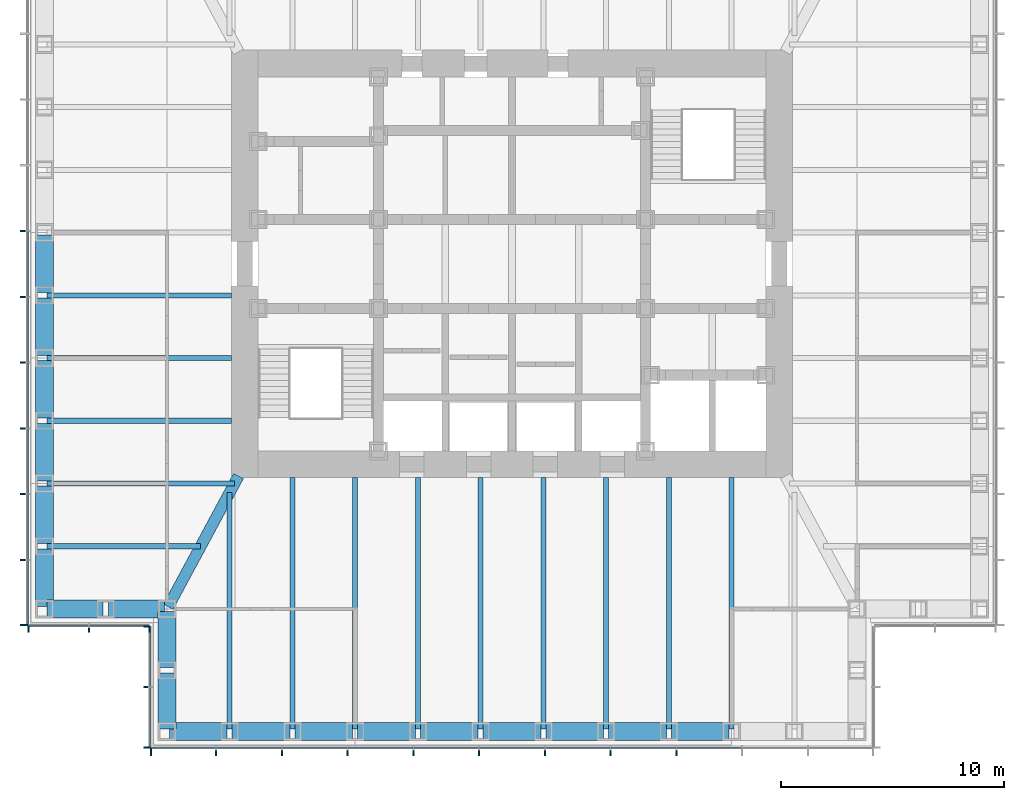
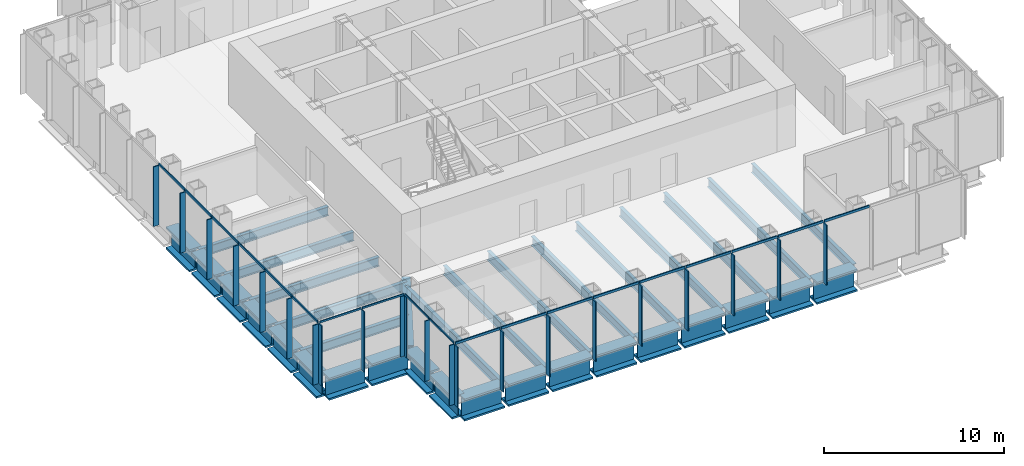
# One storey, part 2 of 16: 41 members, 34 beams, 4 elements without a shape of their own.
"""IFC4 building model written with IfcOpenShell, lengths in metres."""

from ifc_helpers import new_model, si_unit, direction, frame, origin, origin_2d, place, context, subcontext, project, spatial, rectangle, i_section, extrude, material, material_profile, profile_set, type_object, element, aggregate, save


model = new_model("IFC4")

# Units and contexts
model_context = context("Model", 3, precision=1e-05, world=origin(), true_north=direction((0.0, 1.0)))
body_context = subcontext(model_context, "Body", "Model", "MODEL_VIEW")
ifc_project = project(units=[si_unit("LENGTHUNIT", "METRE"), si_unit("AREAUNIT", "SQUARE_METRE"), si_unit("VOLUMEUNIT", "CUBIC_METRE"), si_unit("PLANEANGLEUNIT", "RADIAN"), si_unit("MASSUNIT", "GRAM", prefix="KILO")], contexts=[model_context])

# Site, building, storey
site_placement = place(None, origin())
site = spatial("IfcSite", under=ifc_project, at=site_placement, CompositionType="ELEMENT")
building_placement = place(site_placement, origin())
building = spatial("IfcBuilding", under=site, at=building_placement, Name="Daluyong Arena Tower", CompositionType="ELEMENT")
storey_placement = place(building_placement, frame((0.0, 0.0, 240.10009765625)))
storey = spatial("IfcBuildingStorey", under=building, at=storey_placement, Name="L54", CompositionType="ELEMENT", Elevation=240.10009765625)

# Curtain wall, members
ifc_material_1 = material(Name="Bronze anodised aluminium and glass", Category="aluminium")
curtain_wall_type_1 = type_object("IfcCurtainWallType", Name="Curtain wall CW3", PredefinedType="USERDEFINED", material=ifc_material_1)
curtain_wall_1_placement = place(storey_placement, origin())
curtain_wall_1 = element("IfcCurtainWall", 1, at=curtain_wall_1_placement, inside=storey, type_object=curtain_wall_type_1, Name="curtain wall L54 S", ObjectType="UNITISED CURTAIN WALL", PredefinedType="USERDEFINED")
ifc_material_2 = material(Name="Bronze anodised aluminium fin", Category="aluminium")
ifc_material_profile_1 = material_profile(ifc_material_2, rectangle(XDim=0.35009765625, YDim=0.070068359375, at=origin_2d()))
ifc_profile_set_1 = profile_set([ifc_material_profile_1], Name="Bronze anodised aluminium fin")
member_type_1 = type_object("IfcMemberType", Name="CW3 bronze fin 350x70", PredefinedType="MULLION", material=ifc_profile_set_1)
member_1_placement = place(storey_placement, frame((39.784912109375, 58.074951171875, 0.0), z_axis=(0.0, 0.0, 1.0), x_axis=(0.0, 1.0, 0.0)))
member_1 = element("IfcMember", 2, at=member_1_placement, type_object=member_type_1, Name="curtain wall L54 S fin 1", PredefinedType="MULLION", context=body_context, shape_type="SweptSolid", body=[
    extrude(rectangle(XDim=0.35009765625, YDim=0.070068359375, at=origin_2d()), origin(), (0.0, 0.0, 1.0), 4.039794921875),
])
member_2_placement = place(storey_placement, frame((42.70458984375, 58.074951171875, 0.0), z_axis=(0.0, 0.0, 1.0), x_axis=(0.0, 1.0, 0.0)))
member_2 = element("IfcMember", 3, at=member_2_placement, type_object=member_type_1, Name="curtain wall L54 S fin 2", PredefinedType="MULLION", context=body_context, shape_type="SweptSolid", body=[
    extrude(rectangle(XDim=0.35009765625, YDim=0.070068359375, at=origin_2d()), origin(), (0.0, 0.0, 1.0), 4.039794921875),
])
member_3_placement = place(storey_placement, frame((45.6591796875, 58.074951171875, 0.0), z_axis=(0.0, 0.0, 1.0), x_axis=(0.0, 1.0, 0.0)))
member_3 = element("IfcMember", 4, at=member_3_placement, type_object=member_type_1, Name="curtain wall L54 S fin 3", PredefinedType="MULLION", context=body_context, shape_type="SweptSolid", body=[
    extrude(rectangle(XDim=0.35009765625, YDim=0.070068359375, at=origin_2d()), origin(), (0.0, 0.0, 1.0), 4.039794921875),
])
member_4_placement = place(storey_placement, frame((48.613525390625, 58.074951171875, 0.0), z_axis=(0.0, 0.0, 1.0), x_axis=(0.0, 1.0, 0.0)))
member_4 = element("IfcMember", 5, at=member_4_placement, type_object=member_type_1, Name="curtain wall L54 S fin 4", PredefinedType="MULLION", context=body_context, shape_type="SweptSolid", body=[
    extrude(rectangle(XDim=0.35009765625, YDim=0.070068359375, at=origin_2d()), origin(), (0.0, 0.0, 1.0), 4.039794921875),
])
member_5_placement = place(storey_placement, frame((51.568115234375, 58.074951171875, 0.0), z_axis=(0.0, 0.0, 1.0), x_axis=(0.0, 1.0, 0.0)))
member_5 = element("IfcMember", 6, at=member_5_placement, type_object=member_type_1, Name="curtain wall L54 S fin 5", PredefinedType="MULLION", context=body_context, shape_type="SweptSolid", body=[
    extrude(rectangle(XDim=0.35009765625, YDim=0.070068359375, at=origin_2d()), origin(), (0.0, 0.0, 1.0), 4.039794921875),
])
member_6_placement = place(storey_placement, frame((54.522705078125, 58.074951171875, 0.0), z_axis=(0.0, 0.0, 1.0), x_axis=(0.0, 1.0, 0.0)))
member_6 = element("IfcMember", 7, at=member_6_placement, type_object=member_type_1, Name="curtain wall L54 S fin 6", PredefinedType="MULLION", context=body_context, shape_type="SweptSolid", body=[
    extrude(rectangle(XDim=0.35009765625, YDim=0.070068359375, at=origin_2d()), origin(), (0.0, 0.0, 1.0), 4.039794921875),
])
member_7_placement = place(storey_placement, frame((57.477294921875, 58.074951171875, 0.0), z_axis=(0.0, 0.0, 1.0), x_axis=(0.0, 1.0, 0.0)))
member_7 = element("IfcMember", 8, at=member_7_placement, type_object=member_type_1, Name="curtain wall L54 S fin 7", PredefinedType="MULLION", context=body_context, shape_type="SweptSolid", body=[
    extrude(rectangle(XDim=0.35009765625, YDim=0.070068359375, at=origin_2d()), origin(), (0.0, 0.0, 1.0), 4.039794921875),
])
member_8_placement = place(storey_placement, frame((60.431884765625, 58.074951171875, 0.0), z_axis=(0.0, 0.0, 1.0), x_axis=(0.0, 1.0, 0.0)))
member_8 = element("IfcMember", 9, at=member_8_placement, type_object=member_type_1, Name="curtain wall L54 S fin 8", PredefinedType="MULLION", context=body_context, shape_type="SweptSolid", body=[
    extrude(rectangle(XDim=0.35009765625, YDim=0.070068359375, at=origin_2d()), origin(), (0.0, 0.0, 1.0), 4.039794921875),
])
member_9_placement = place(storey_placement, frame((63.386474609375, 58.074951171875, 0.0), z_axis=(0.0, 0.0, 1.0), x_axis=(0.0, 1.0, 0.0)))
member_9 = element("IfcMember", 10, at=member_9_placement, type_object=member_type_1, Name="curtain wall L54 S fin 9", PredefinedType="MULLION", context=body_context, shape_type="SweptSolid", body=[
    extrude(rectangle(XDim=0.35009765625, YDim=0.070068359375, at=origin_2d()), origin(), (0.0, 0.0, 1.0), 4.039794921875),
])

curtain_wall_2_placement = place(storey_placement, origin())
curtain_wall_2 = element("IfcCurtainWall", 11, at=curtain_wall_2_placement, inside=storey, type_object=curtain_wall_type_1, Name="curtain wall L54 W", ObjectType="UNITISED CURTAIN WALL", PredefinedType="USERDEFINED")
member_10_placement = place(storey_placement, frame((34.074951171875, 81.477294921875, 0.0), z_axis=(0.0, 0.0, 1.0), x_axis=(1.0, 0.0, 0.0)))
member_10 = element("IfcMember", 12, at=member_10_placement, type_object=member_type_1, Name="curtain wall L54 W fin 6", PredefinedType="MULLION", context=body_context, shape_type="SweptSolid", body=[
    extrude(rectangle(XDim=0.35009765625, YDim=0.070068359375, at=origin_2d()), origin(), (0.0, 0.0, 1.0), 4.039794921875),
])
member_11_placement = place(storey_placement, frame((34.074951171875, 78.522705078125, 0.0), z_axis=(0.0, 0.0, 1.0), x_axis=(1.0, 0.0, 0.0)))
member_11 = element("IfcMember", 13, at=member_11_placement, type_object=member_type_1, Name="curtain wall L54 W fin 7", PredefinedType="MULLION", context=body_context, shape_type="SweptSolid", body=[
    extrude(rectangle(XDim=0.35009765625, YDim=0.070068359375, at=origin_2d()), origin(), (0.0, 0.0, 1.0), 4.039794921875),
])
member_12_placement = place(storey_placement, frame((34.074951171875, 75.568115234375, 0.0), z_axis=(0.0, 0.0, 1.0), x_axis=(1.0, 0.0, 0.0)))
member_12 = element("IfcMember", 14, at=member_12_placement, type_object=member_type_1, Name="curtain wall L54 W fin 8", PredefinedType="MULLION", context=body_context, shape_type="SweptSolid", body=[
    extrude(rectangle(XDim=0.35009765625, YDim=0.070068359375, at=origin_2d()), origin(), (0.0, 0.0, 1.0), 4.039794921875),
])
member_13_placement = place(storey_placement, frame((34.074951171875, 72.613525390625, 0.0), z_axis=(0.0, 0.0, 1.0), x_axis=(1.0, 0.0, 0.0)))
member_13 = element("IfcMember", 15, at=member_13_placement, type_object=member_type_1, Name="curtain wall L54 W fin 9", PredefinedType="MULLION", context=body_context, shape_type="SweptSolid", body=[
    extrude(rectangle(XDim=0.35009765625, YDim=0.070068359375, at=origin_2d()), origin(), (0.0, 0.0, 1.0), 4.039794921875),
])
member_14_placement = place(storey_placement, frame((34.074951171875, 69.6591796875, 0.0), z_axis=(0.0, 0.0, 1.0), x_axis=(1.0, 0.0, 0.0)))
member_14 = element("IfcMember", 16, at=member_14_placement, type_object=member_type_1, Name="curtain wall L54 W fin 10", PredefinedType="MULLION", context=body_context, shape_type="SweptSolid", body=[
    extrude(rectangle(XDim=0.35009765625, YDim=0.070068359375, at=origin_2d()), origin(), (0.0, 0.0, 1.0), 4.039794921875),
])
member_15_placement = place(storey_placement, frame((34.074951171875, 66.70458984375, 0.0), z_axis=(0.0, 0.0, 1.0), x_axis=(1.0, 0.0, 0.0)))
member_15 = element("IfcMember", 17, at=member_15_placement, type_object=member_type_1, Name="curtain wall L54 W fin 11", PredefinedType="MULLION", context=body_context, shape_type="SweptSolid", body=[
    extrude(rectangle(XDim=0.35009765625, YDim=0.070068359375, at=origin_2d()), origin(), (0.0, 0.0, 1.0), 4.039794921875),
])
member_16_placement = place(storey_placement, frame((34.074951171875, 63.784912109375, 0.0), z_axis=(0.0, 0.0, 1.0), x_axis=(1.0, 0.0, 0.0)))
member_16 = element("IfcMember", 18, at=member_16_placement, type_object=member_type_1, Name="curtain wall L54 W fin 12", PredefinedType="MULLION", context=body_context, shape_type="SweptSolid", body=[
    extrude(rectangle(XDim=0.35009765625, YDim=0.070068359375, at=origin_2d()), origin(), (0.0, 0.0, 1.0), 4.039794921875),
])

# Member
ifc_material_3 = material(Name="Bronze anodised aluminium", Category="aluminium")
ifc_material_profile_2 = material_profile(ifc_material_3, rectangle(XDim=0.070068359375, YDim=0.159912109375, at=origin_2d()))
ifc_profile_set_2 = profile_set([ifc_material_profile_2], Name="Bronze anodised aluminium")
member_type_2 = type_object("IfcMemberType", Name="CW3 stack transom 160x70", PredefinedType="USERDEFINED", material=ifc_profile_set_2)
member_17_placement = place(storey_placement, frame((39.820068359375, 58.25, 4.119873046875), z_axis=(1.0, 0.0, 0.0), x_axis=(0.0, 1.0, 0.0)))
member_17 = element("IfcMember", 19, at=member_17_placement, type_object=member_type_2, Name="curtain wall L54 S transom 1", ObjectType="TRANSOM", PredefinedType="USERDEFINED", context=body_context, shape_type="SweptSolid", body=[
    extrude(rectangle(XDim=0.070068359375, YDim=0.159912109375, at=origin_2d()), origin(), (0.0, 0.0, 1.0), 2.849365234375),
])

member_18_placement = place(storey_placement, frame((42.739501953125, 58.25, 4.119873046875), z_axis=(1.0, 0.0, 0.0), x_axis=(0.0, 1.0, 0.0)))
member_18 = element("IfcMember", 20, at=member_18_placement, type_object=member_type_2, Name="curtain wall L54 S transom 2", ObjectType="TRANSOM", PredefinedType="USERDEFINED", context=body_context, shape_type="SweptSolid", body=[
    extrude(rectangle(XDim=0.070068359375, YDim=0.159912109375, at=origin_2d()), origin(), (0.0, 0.0, 1.0), 2.884521484375),
])

member_19_placement = place(storey_placement, frame((45.694091796875, 58.25, 4.119873046875), z_axis=(1.0, 0.0, 0.0), x_axis=(0.0, 1.0, 0.0)))
member_19 = element("IfcMember", 21, at=member_19_placement, type_object=member_type_2, Name="curtain wall L54 S transom 3", ObjectType="TRANSOM", PredefinedType="USERDEFINED", context=body_context, shape_type="SweptSolid", body=[
    extrude(rectangle(XDim=0.070068359375, YDim=0.159912109375, at=origin_2d()), origin(), (0.0, 0.0, 1.0), 2.884521484375),
])

member_20_placement = place(storey_placement, frame((48.648681640625, 58.25, 4.119873046875), z_axis=(1.0, 0.0, 0.0), x_axis=(0.0, 1.0, 0.0)))
member_20 = element("IfcMember", 22, at=member_20_placement, type_object=member_type_2, Name="curtain wall L54 S transom 4", ObjectType="TRANSOM", PredefinedType="USERDEFINED", context=body_context, shape_type="SweptSolid", body=[
    extrude(rectangle(XDim=0.070068359375, YDim=0.159912109375, at=origin_2d()), origin(), (0.0, 0.0, 1.0), 2.884521484375),
])

member_21_placement = place(storey_placement, frame((51.603271484375, 58.25, 4.119873046875), z_axis=(1.0, 0.0, 0.0), x_axis=(0.0, 1.0, 0.0)))
member_21 = element("IfcMember", 23, at=member_21_placement, type_object=member_type_2, Name="curtain wall L54 S transom 5", ObjectType="TRANSOM", PredefinedType="USERDEFINED", context=body_context, shape_type="SweptSolid", body=[
    extrude(rectangle(XDim=0.070068359375, YDim=0.159912109375, at=origin_2d()), origin(), (0.0, 0.0, 1.0), 2.884521484375),
])

member_22_placement = place(storey_placement, frame((54.5576171875, 58.25, 4.119873046875), z_axis=(1.0, 0.0, 0.0), x_axis=(0.0, 1.0, 0.0)))
member_22 = element("IfcMember", 24, at=member_22_placement, type_object=member_type_2, Name="curtain wall L54 S transom 6", ObjectType="TRANSOM", PredefinedType="USERDEFINED", context=body_context, shape_type="SweptSolid", body=[
    extrude(rectangle(XDim=0.070068359375, YDim=0.159912109375, at=origin_2d()), origin(), (0.0, 0.0, 1.0), 2.884765625),
])

member_23_placement = place(storey_placement, frame((57.51220703125, 58.25, 4.119873046875), z_axis=(1.0, 0.0, 0.0), x_axis=(0.0, 1.0, 0.0)))
member_23 = element("IfcMember", 25, at=member_23_placement, type_object=member_type_2, Name="curtain wall L54 S transom 7", ObjectType="TRANSOM", PredefinedType="USERDEFINED", context=body_context, shape_type="SweptSolid", body=[
    extrude(rectangle(XDim=0.070068359375, YDim=0.159912109375, at=origin_2d()), origin(), (0.0, 0.0, 1.0), 2.884521484375),
])

member_24_placement = place(storey_placement, frame((60.466796875, 58.25, 4.119873046875), z_axis=(1.0, 0.0, 0.0), x_axis=(0.0, 1.0, 0.0)))
member_24 = element("IfcMember", 26, at=member_24_placement, type_object=member_type_2, Name="curtain wall L54 S transom 8", ObjectType="TRANSOM", PredefinedType="USERDEFINED", context=body_context, shape_type="SweptSolid", body=[
    extrude(rectangle(XDim=0.070068359375, YDim=0.159912109375, at=origin_2d()), origin(), (0.0, 0.0, 1.0), 2.884521484375),
])

member_25_placement = place(storey_placement, frame((63.42138671875, 58.25, 4.119873046875), z_axis=(1.0, 0.0, 0.0), x_axis=(0.0, 1.0, 0.0)))
member_25 = element("IfcMember", 27, at=member_25_placement, type_object=member_type_2, Name="curtain wall L54 S transom 9", ObjectType="TRANSOM", PredefinedType="USERDEFINED", context=body_context, shape_type="SweptSolid", body=[
    extrude(rectangle(XDim=0.070068359375, YDim=0.159912109375, at=origin_2d()), origin(), (0.0, 0.0, 1.0), 2.884521484375),
])

aggregate(curtain_wall_1, [member_1, member_2, member_3, member_4, member_5, member_6, member_7, member_8, member_9, member_17, member_18, member_19, member_20, member_21, member_22, member_23, member_24, member_25])

member_26_placement = place(storey_placement, frame((34.25, 81.4423828125, 4.119873046875), z_axis=(0.0, -1.0, 0.0), x_axis=(1.0, 0.0, 0.0)))
member_26 = element("IfcMember", 28, at=member_26_placement, type_object=member_type_2, Name="curtain wall L54 W transom 6", ObjectType="TRANSOM", PredefinedType="USERDEFINED", context=body_context, shape_type="SweptSolid", body=[
    extrude(rectangle(XDim=0.070068359375, YDim=0.159912109375, at=origin_2d()), origin(), (0.0, 0.0, 1.0), 2.884765625),
])

member_27_placement = place(storey_placement, frame((34.25, 78.48779296875, 4.119873046875), z_axis=(0.0, -1.0, 0.0), x_axis=(1.0, 0.0, 0.0)))
member_27 = element("IfcMember", 29, at=member_27_placement, type_object=member_type_2, Name="curtain wall L54 W transom 7", ObjectType="TRANSOM", PredefinedType="USERDEFINED", context=body_context, shape_type="SweptSolid", body=[
    extrude(rectangle(XDim=0.070068359375, YDim=0.159912109375, at=origin_2d()), origin(), (0.0, 0.0, 1.0), 2.884521484375),
])

member_28_placement = place(storey_placement, frame((34.25, 75.533203125, 4.119873046875), z_axis=(0.0, -1.0, 0.0), x_axis=(1.0, 0.0, 0.0)))
member_28 = element("IfcMember", 30, at=member_28_placement, type_object=member_type_2, Name="curtain wall L54 W transom 8", ObjectType="TRANSOM", PredefinedType="USERDEFINED", context=body_context, shape_type="SweptSolid", body=[
    extrude(rectangle(XDim=0.070068359375, YDim=0.159912109375, at=origin_2d()), origin(), (0.0, 0.0, 1.0), 2.884521484375),
])

member_29_placement = place(storey_placement, frame((34.25, 72.57861328125, 4.119873046875), z_axis=(0.0, -1.0, 0.0), x_axis=(1.0, 0.0, 0.0)))
member_29 = element("IfcMember", 31, at=member_29_placement, type_object=member_type_2, Name="curtain wall L54 W transom 9", ObjectType="TRANSOM", PredefinedType="USERDEFINED", context=body_context, shape_type="SweptSolid", body=[
    extrude(rectangle(XDim=0.070068359375, YDim=0.159912109375, at=origin_2d()), origin(), (0.0, 0.0, 1.0), 2.884521484375),
])

member_30_placement = place(storey_placement, frame((34.25, 69.6240234375, 4.119873046875), z_axis=(0.0, -1.0, 0.0), x_axis=(1.0, 0.0, 0.0)))
member_30 = element("IfcMember", 32, at=member_30_placement, type_object=member_type_2, Name="curtain wall L54 W transom 10", ObjectType="TRANSOM", PredefinedType="USERDEFINED", context=body_context, shape_type="SweptSolid", body=[
    extrude(rectangle(XDim=0.070068359375, YDim=0.159912109375, at=origin_2d()), origin(), (0.0, 0.0, 1.0), 2.884521484375),
])

member_31_placement = place(storey_placement, frame((34.25, 66.66943359375, 4.119873046875), z_axis=(0.0, -1.0, 0.0), x_axis=(1.0, 0.0, 0.0)))
member_31 = element("IfcMember", 33, at=member_31_placement, type_object=member_type_2, Name="curtain wall L54 W transom 11", ObjectType="TRANSOM", PredefinedType="USERDEFINED", context=body_context, shape_type="SweptSolid", body=[
    extrude(rectangle(XDim=0.070068359375, YDim=0.159912109375, at=origin_2d()), origin(), (0.0, 0.0, 1.0), 2.849365234375),
])

aggregate(curtain_wall_2, [member_10, member_11, member_12, member_13, member_14, member_15, member_16, member_26, member_27, member_28, member_29, member_30, member_31])

# Curtain wall, members
ifc_material_4 = material(Name="Bronze anodised aluminium and glass", Category="aluminium")
curtain_wall_type_2 = type_object("IfcCurtainWallType", Name="Curtain wall CW7", PredefinedType="USERDEFINED", material=ifc_material_4)
curtain_wall_3_placement = place(storey_placement, origin())
curtain_wall_3 = element("IfcCurtainWall", 34, at=curtain_wall_3_placement, inside=storey, type_object=curtain_wall_type_2, Name="curtain wall L54 SW-S", ObjectType="UNITISED CURTAIN WALL", PredefinedType="USERDEFINED")
ifc_material_5 = material(Name="Bronze anodised aluminium fin", Category="aluminium")
ifc_material_profile_3 = material_profile(ifc_material_5, rectangle(XDim=0.300048828125, YDim=0.06005859375, at=origin_2d()))
ifc_profile_set_3 = profile_set([ifc_material_profile_3], Name="Bronze anodised aluminium fin")
member_type_3 = type_object("IfcMemberType", Name="CW7 bronze fin 300x60", PredefinedType="MULLION", material=ifc_profile_set_3)
member_32_placement = place(storey_placement, frame((34.280029296875, 63.60009765625, 0.0), z_axis=(0.0, 0.0, 1.0), x_axis=(0.0, 1.0, 0.0)))
member_32 = element("IfcMember", 35, at=member_32_placement, type_object=member_type_3, Name="curtain wall L54 SW-S fin 1", PredefinedType="MULLION", context=body_context, shape_type="SweptSolid", body=[
    extrude(rectangle(XDim=0.300048828125, YDim=0.06005859375, at=origin_2d()), origin(), (0.0, 0.0, 1.0), 4.079833984375),
])
member_33_placement = place(storey_placement, frame((37.0, 63.60009765625, 0.0), z_axis=(0.0, 0.0, 1.0), x_axis=(0.0, 1.0, 0.0)))
member_33 = element("IfcMember", 36, at=member_33_placement, type_object=member_type_3, Name="curtain wall L54 SW-S fin 2", PredefinedType="MULLION", context=body_context, shape_type="SweptSolid", body=[
    extrude(rectangle(XDim=0.300048828125, YDim=0.06005859375, at=origin_2d()), origin(), (0.0, 0.0, 1.0), 4.079833984375),
])
member_34_placement = place(storey_placement, frame((39.719970703125, 63.60009765625, 0.0), z_axis=(0.0, 0.0, 1.0), x_axis=(0.0, 1.0, 0.0)))
member_34 = element("IfcMember", 37, at=member_34_placement, type_object=member_type_3, Name="curtain wall L54 SW-S fin 3", PredefinedType="MULLION", context=body_context, shape_type="SweptSolid", body=[
    extrude(rectangle(XDim=0.300048828125, YDim=0.06005859375, at=origin_2d()), origin(), (0.0, 0.0, 1.0), 4.079833984375),
])

curtain_wall_4_placement = place(storey_placement, origin())
curtain_wall_4 = element("IfcCurtainWall", 38, at=curtain_wall_4_placement, inside=storey, type_object=curtain_wall_type_2, Name="curtain wall L54 SW-W", ObjectType="UNITISED CURTAIN WALL", PredefinedType="USERDEFINED")
member_35_placement = place(storey_placement, frame((39.60009765625, 63.719970703125, 0.0), z_axis=(0.0, 0.0, 1.0), x_axis=(1.0, 0.0, 0.0)))
member_35 = element("IfcMember", 39, at=member_35_placement, type_object=member_type_3, Name="curtain wall L54 SW-W fin 1", PredefinedType="MULLION", context=body_context, shape_type="SweptSolid", body=[
    extrude(rectangle(XDim=0.300048828125, YDim=0.06005859375, at=origin_2d()), origin(), (0.0, 0.0, 1.0), 4.079833984375),
])
member_36_placement = place(storey_placement, frame((39.60009765625, 61.0, 0.0), z_axis=(0.0, 0.0, 1.0), x_axis=(1.0, 0.0, 0.0)))
member_36 = element("IfcMember", 40, at=member_36_placement, type_object=member_type_3, Name="curtain wall L54 SW-W fin 2", PredefinedType="MULLION", context=body_context, shape_type="SweptSolid", body=[
    extrude(rectangle(XDim=0.300048828125, YDim=0.06005859375, at=origin_2d()), origin(), (0.0, 0.0, 1.0), 4.079833984375),
])
member_37_placement = place(storey_placement, frame((39.60009765625, 58.280029296875, 0.0), z_axis=(0.0, 0.0, 1.0), x_axis=(1.0, 0.0, 0.0)))
member_37 = element("IfcMember", 41, at=member_37_placement, type_object=member_type_3, Name="curtain wall L54 SW-W fin 3", PredefinedType="MULLION", context=body_context, shape_type="SweptSolid", body=[
    extrude(rectangle(XDim=0.300048828125, YDim=0.06005859375, at=origin_2d()), origin(), (0.0, 0.0, 1.0), 4.079833984375),
])

# Member
ifc_material_6 = material(Name="Bronze anodised aluminium", Category="aluminium")
ifc_material_profile_4 = material_profile(ifc_material_6, rectangle(XDim=0.06005859375, YDim=0.1201171875, at=origin_2d()))
ifc_profile_set_4 = profile_set([ifc_material_profile_4], Name="Bronze anodised aluminium")
member_type_4 = type_object("IfcMemberType", Name="CW7 stack transom 120x60", PredefinedType="USERDEFINED", material=ifc_profile_set_4)
member_38_placement = place(storey_placement, frame((34.31005859375, 63.75, 4.139892578125), z_axis=(1.0, 0.0, 0.0), x_axis=(0.0, 1.0, 0.0)))
member_38 = element("IfcMember", 42, at=member_38_placement, type_object=member_type_4, Name="curtain wall L54 SW-S transom 1", ObjectType="TRANSOM", PredefinedType="USERDEFINED", context=body_context, shape_type="SweptSolid", body=[
    extrude(rectangle(XDim=0.06005859375, YDim=0.1201171875, at=origin_2d()), origin(), (0.0, 0.0, 1.0), 2.659912109375),
])

member_39_placement = place(storey_placement, frame((37.030029296875, 63.75, 4.139892578125), z_axis=(1.0, 0.0, 0.0), x_axis=(0.0, 1.0, 0.0)))
member_39 = element("IfcMember", 43, at=member_39_placement, type_object=member_type_4, Name="curtain wall L54 SW-S transom 2", ObjectType="TRANSOM", PredefinedType="USERDEFINED", context=body_context, shape_type="SweptSolid", body=[
    extrude(rectangle(XDim=0.06005859375, YDim=0.1201171875, at=origin_2d()), origin(), (0.0, 0.0, 1.0), 2.659912109375),
])

aggregate(curtain_wall_3, [member_32, member_33, member_34, member_38, member_39])

member_40_placement = place(storey_placement, frame((39.75, 63.68994140625, 4.139892578125), z_axis=(0.0, -1.0, 0.0), x_axis=(1.0, 0.0, 0.0)))
member_40 = element("IfcMember", 44, at=member_40_placement, type_object=member_type_4, Name="curtain wall L54 SW-W transom 1", ObjectType="TRANSOM", PredefinedType="USERDEFINED", context=body_context, shape_type="SweptSolid", body=[
    extrude(rectangle(XDim=0.06005859375, YDim=0.1201171875, at=origin_2d()), origin(), (0.0, 0.0, 1.0), 2.659912109375),
])

member_41_placement = place(storey_placement, frame((39.75, 60.969970703125, 4.139892578125), z_axis=(0.0, -1.0, 0.0), x_axis=(1.0, 0.0, 0.0)))
member_41 = element("IfcMember", 45, at=member_41_placement, type_object=member_type_4, Name="curtain wall L54 SW-W transom 2", ObjectType="TRANSOM", PredefinedType="USERDEFINED", context=body_context, shape_type="SweptSolid", body=[
    extrude(rectangle(XDim=0.06005859375, YDim=0.1201171875, at=origin_2d()), origin(), (0.0, 0.0, 1.0), 2.659912109375),
])

aggregate(curtain_wall_4, [member_35, member_36, member_37, member_40, member_41])

# Beams
ifc_material_7 = material(Name="Steel ASTM A572 Grade 50", Category="steel")
ifc_material_profile_5 = material_profile(ifc_material_7, i_section(OverallWidth=0.5, OverallDepth=1.0, WebThickness=0.03, FlangeThickness=0.06, at=origin_2d()))
ifc_profile_set_5 = profile_set([ifc_material_profile_5], Name="Steel ASTM A572 Grade 50")
beam_type_1 = type_object("IfcBeamType", Name="Corner girder TB1000X500", PredefinedType="BEAM", material=ifc_profile_set_5)
beam_1_placement = place(storey_placement, frame((40.554443359375, 64.601318359375, -0.66015625), z_axis=(0.474119475266, 0.880460517669, 0.0), x_axis=(-0.880460517669, 0.474119475266, 0.0)))
element("IfcBeam", 46, at=beam_1_placement, inside=storey, type_object=beam_type_1, Name="corner girder DG2", PredefinedType="BEAM", context=body_context, shape_type="SweptSolid", body=[
    extrude(i_section(OverallWidth=0.5, OverallDepth=1.0, WebThickness=0.03, FlangeThickness=0.06, at=origin_2d()), origin(), (0.0, 0.0, 1.0), 6.66748046875),
])
ifc_material_8 = material(Name="Steel ASTM A992 Grade 50", Category="steel")
ifc_material_profile_6 = material_profile(ifc_material_8, i_section(OverallWidth=0.22900390625, OverallDepth=0.612060546875, WebThickness=0.011962890625, FlangeThickness=0.01953125, at=origin_2d()))
ifc_profile_set_6 = profile_set([ifc_material_profile_6], Name="Steel ASTM A992 Grade 50")
beam_type_2 = type_object("IfcBeamType", Name="Floor beam W24X84", PredefinedType="BEAM", material=ifc_profile_set_6)
beam_2_placement = place(storey_placement, frame((43.318115234375, 59.114990234375, -0.466064453125), z_axis=(0.0, 1.0, 0.0), x_axis=(-1.0, 0.0, 0.0)))
element("IfcBeam", 47, at=beam_2_placement, inside=storey, type_object=beam_type_2, Name="floor beam FB3", PredefinedType="BEAM", context=body_context, shape_type="SweptSolid", body=[
    extrude(i_section(OverallWidth=0.22900390625, OverallDepth=0.612060546875, WebThickness=0.011962890625, FlangeThickness=0.01953125, at=origin_2d()), origin(), (0.0, 0.0, 1.0), 10.618896484375),
])
for number, where, z_axis, x_axis, name in (
    (48, (46.136474609375, 59.114990234375, -0.466064453125), (0.0, 1.0, 0.0), (-1.0, 0.0, 0.0), "floor beam FB3"),
    (49, (48.95458984375, 59.114990234375, -0.466064453125), (0.0, 1.0, 0.0), (-1.0, 0.0, 0.0), "floor beam FB3"),
    (50, (51.772705078125, 59.114990234375, -0.466064453125), (0.0, 1.0, 0.0), (-1.0, 0.0, 0.0), "floor beam FB3"),
    (51, (54.5908203125, 59.114990234375, -0.466064453125), (0.0, 1.0, 0.0), (-1.0, 0.0, 0.0), "floor beam FB3"),
    (52, (57.4091796875, 59.114990234375, -0.466064453125), (0.0, 1.0, 0.0), (-1.0, 0.0, 0.0), "floor beam FB3"),
    (53, (60.227294921875, 59.114990234375, -0.466064453125), (0.0, 1.0, 0.0), (-1.0, 0.0, 0.0), "floor beam FB3"),
    (54, (63.04541015625, 59.114990234375, -0.466064453125), (0.0, 1.0, 0.0), (-1.0, 0.0, 0.0), "floor beam FB3"),
    (55, (65.863525390625, 59.114990234375, -0.466064453125), (0.0, 1.0, 0.0), (-1.0, 0.0, 0.0), "floor beam FB3"),
):
    element("IfcBeam", number, at=place(storey_placement, frame(where, z_axis=z_axis, x_axis=x_axis)), inside=storey, type_object=beam_type_2, Name=name, PredefinedType="BEAM", context=body_context, shape_type="SweptSolid", body=[
        extrude(i_section(OverallWidth=0.22900390625, OverallDepth=0.612060546875, WebThickness=0.011962890625, FlangeThickness=0.01953125, at=origin_2d()), origin(), (0.0, 0.0, 1.0), 11.284912109375),
    ])
for number, where, z_axis, x_axis, name in (
    (56, (35.114990234375, 78.5908203125, -0.466064453125), (1.0, 0.0, 0.0), (0.0, 1.0, 0.0), "floor beam FB3"),
    (57, (35.114990234375, 75.772705078125, -0.466064453125), (1.0, 0.0, 0.0), (0.0, 1.0, 0.0), "floor beam FB3"),
    (58, (35.114990234375, 72.95458984375, -0.466064453125), (1.0, 0.0, 0.0), (0.0, 1.0, 0.0), "floor beam FB3"),
):
    element("IfcBeam", number, at=place(storey_placement, frame(where, z_axis=z_axis, x_axis=x_axis)), inside=storey, type_object=beam_type_2, Name=name, PredefinedType="BEAM", context=body_context, shape_type="SweptSolid", body=[
        extrude(i_section(OverallWidth=0.22900390625, OverallDepth=0.612060546875, WebThickness=0.011962890625, FlangeThickness=0.01953125, at=origin_2d()), origin(), (0.0, 0.0, 1.0), 8.284912109375),
    ])
beam_3_placement = place(storey_placement, frame((35.114990234375, 70.136474609375, -0.466064453125), z_axis=(1.0, 0.0, 0.0), x_axis=(0.0, 1.0, 0.0)))
element("IfcBeam", 59, at=beam_3_placement, inside=storey, type_object=beam_type_2, Name="floor beam FB3", PredefinedType="BEAM", context=body_context, shape_type="SweptSolid", body=[
    extrude(i_section(OverallWidth=0.22900390625, OverallDepth=0.612060546875, WebThickness=0.011962890625, FlangeThickness=0.01953125, at=origin_2d()), origin(), (0.0, 0.0, 1.0), 8.419921875),
])
beam_4_placement = place(storey_placement, frame((35.114990234375, 67.318115234375, -0.466064453125), z_axis=(1.0, 0.0, 0.0), x_axis=(0.0, 1.0, 0.0)))
element("IfcBeam", 60, at=beam_4_placement, inside=storey, type_object=beam_type_2, Name="floor beam FB3", PredefinedType="BEAM", context=body_context, shape_type="SweptSolid", body=[
    extrude(i_section(OverallWidth=0.22900390625, OverallDepth=0.612060546875, WebThickness=0.011962890625, FlangeThickness=0.01953125, at=origin_2d()), origin(), (0.0, 0.0, 1.0), 6.902587890625),
])
ifc_material_9 = material(Name="Steel ASTM A588 Grade 50", Category="steel")
ifc_material_profile_7 = material_profile(ifc_material_9, i_section(OverallWidth=0.800048828125, OverallDepth=1.5, WebThickness=0.05, FlangeThickness=0.12, at=origin_2d()))
ifc_profile_set_7 = profile_set([ifc_material_profile_7], Name="Steel ASTM A588 Grade 50")
beam_type_3 = type_object("IfcBeamType", Name="Spandrel Z3 PG1500X800", PredefinedType="SPANDREL", material=ifc_profile_set_7)
beam_5_placement = place(storey_placement, frame((40.614990234375, 59.0, -0.91015625), z_axis=(1.0, 0.0, 0.0), x_axis=(0.0, 1.0, 0.0)))
element("IfcBeam", 61, at=beam_5_placement, inside=storey, type_object=beam_type_3, Name="spandrel z3 SB7", PredefinedType="SPANDREL", context=body_context, shape_type="SweptSolid", body=[
    extrude(i_section(OverallWidth=0.800048828125, OverallDepth=1.5, WebThickness=0.05, FlangeThickness=0.12, at=origin_2d()), origin(), (0.0, 0.0, 1.0), 2.588134765625),
])
beam_6_placement = place(storey_placement, frame((43.43310546875, 59.0, -0.91015625), z_axis=(1.0, 0.0, 0.0), x_axis=(0.0, 1.0, 0.0)))
element("IfcBeam", 62, at=beam_6_placement, inside=storey, type_object=beam_type_3, Name="spandrel z3 SB7", PredefinedType="SPANDREL", context=body_context, shape_type="SweptSolid", body=[
    extrude(i_section(OverallWidth=0.800048828125, OverallDepth=1.5, WebThickness=0.05, FlangeThickness=0.12, at=origin_2d()), origin(), (0.0, 0.0, 1.0), 2.58837890625),
])
for number, where, z_axis, x_axis, name in (
    (63, (46.25146484375, 59.0, -0.91015625), (1.0, 0.0, 0.0), (0.0, 1.0, 0.0), "spandrel z3 SB7"),
    (64, (49.069580078125, 59.0, -0.91015625), (1.0, 0.0, 0.0), (0.0, 1.0, 0.0), "spandrel z3 SB7"),
    (65, (51.8876953125, 59.0, -0.91015625), (1.0, 0.0, 0.0), (0.0, 1.0, 0.0), "spandrel z3 SB7"),
):
    element("IfcBeam", number, at=place(storey_placement, frame(where, z_axis=z_axis, x_axis=x_axis)), inside=storey, type_object=beam_type_3, Name=name, PredefinedType="SPANDREL", context=body_context, shape_type="SweptSolid", body=[
        extrude(i_section(OverallWidth=0.800048828125, OverallDepth=1.5, WebThickness=0.05, FlangeThickness=0.12, at=origin_2d()), origin(), (0.0, 0.0, 1.0), 2.588134765625),
    ])
beam_7_placement = place(storey_placement, frame((54.705810546875, 59.0, -0.91015625), z_axis=(1.0, 0.0, 0.0), x_axis=(0.0, 1.0, 0.0)))
element("IfcBeam", 66, at=beam_7_placement, inside=storey, type_object=beam_type_3, Name="spandrel z3 SB7", PredefinedType="SPANDREL", context=body_context, shape_type="SweptSolid", body=[
    extrude(i_section(OverallWidth=0.800048828125, OverallDepth=1.5, WebThickness=0.05, FlangeThickness=0.12, at=origin_2d()), origin(), (0.0, 0.0, 1.0), 2.58837890625),
])
for number, where, z_axis, x_axis, name in (
    (67, (57.524169921875, 59.0, -0.91015625), (1.0, 0.0, 0.0), (0.0, 1.0, 0.0), "spandrel z3 SB7"),
    (68, (60.34228515625, 59.0, -0.91015625), (1.0, 0.0, 0.0), (0.0, 1.0, 0.0), "spandrel z3 SB7"),
    (69, (63.160400390625, 59.0, -0.91015625), (1.0, 0.0, 0.0), (0.0, 1.0, 0.0), "spandrel z3 SB7"),
):
    element("IfcBeam", number, at=place(storey_placement, frame(where, z_axis=z_axis, x_axis=x_axis)), inside=storey, type_object=beam_type_3, Name=name, PredefinedType="SPANDREL", context=body_context, shape_type="SweptSolid", body=[
        extrude(i_section(OverallWidth=0.800048828125, OverallDepth=1.5, WebThickness=0.05, FlangeThickness=0.12, at=origin_2d()), origin(), (0.0, 0.0, 1.0), 2.588134765625),
    ])
beam_8_placement = place(storey_placement, frame((35.0, 81.294189453125, -0.91015625), z_axis=(0.0, -1.0, 0.0), x_axis=(1.0, 0.0, 0.0)))
element("IfcBeam", 70, at=beam_8_placement, inside=storey, type_object=beam_type_3, Name="spandrel z3 SB7", PredefinedType="SPANDREL", context=body_context, shape_type="SweptSolid", body=[
    extrude(i_section(OverallWidth=0.800048828125, OverallDepth=1.5, WebThickness=0.05, FlangeThickness=0.12, at=origin_2d()), origin(), (0.0, 0.0, 1.0), 2.58837890625),
])
for number, where, z_axis, x_axis, name in (
    (71, (35.0, 78.475830078125, -0.91015625), (0.0, -1.0, 0.0), (1.0, 0.0, 0.0), "spandrel z3 SB7"),
    (72, (35.0, 75.65771484375, -0.91015625), (0.0, -1.0, 0.0), (1.0, 0.0, 0.0), "spandrel z3 SB7"),
    (73, (35.0, 72.839599609375, -0.91015625), (0.0, -1.0, 0.0), (1.0, 0.0, 0.0), "spandrel z3 SB7"),
):
    element("IfcBeam", number, at=place(storey_placement, frame(where, z_axis=z_axis, x_axis=x_axis)), inside=storey, type_object=beam_type_3, Name=name, PredefinedType="SPANDREL", context=body_context, shape_type="SweptSolid", body=[
        extrude(i_section(OverallWidth=0.800048828125, OverallDepth=1.5, WebThickness=0.05, FlangeThickness=0.12, at=origin_2d()), origin(), (0.0, 0.0, 1.0), 2.588134765625),
    ])
beam_9_placement = place(storey_placement, frame((35.0, 70.021484375, -0.91015625), z_axis=(0.0, -1.0, 0.0), x_axis=(1.0, 0.0, 0.0)))
element("IfcBeam", 74, at=beam_9_placement, inside=storey, type_object=beam_type_3, Name="spandrel z3 SB7", PredefinedType="SPANDREL", context=body_context, shape_type="SweptSolid", body=[
    extrude(i_section(OverallWidth=0.800048828125, OverallDepth=1.5, WebThickness=0.05, FlangeThickness=0.12, at=origin_2d()), origin(), (0.0, 0.0, 1.0), 2.58837890625),
])
beam_10_placement = place(storey_placement, frame((35.0, 67.203125, -0.91015625), z_axis=(0.0, -1.0, 0.0), x_axis=(1.0, 0.0, 0.0)))
element("IfcBeam", 75, at=beam_10_placement, inside=storey, type_object=beam_type_3, Name="spandrel z3 SB7", PredefinedType="SPANDREL", context=body_context, shape_type="SweptSolid", body=[
    extrude(i_section(OverallWidth=0.800048828125, OverallDepth=1.5, WebThickness=0.05, FlangeThickness=0.12, at=origin_2d()), origin(), (0.0, 0.0, 1.0), 2.588134765625),
])
for number, where, z_axis, x_axis, name in (
    (76, (35.114990234375, 64.5, -0.91015625), (1.0, 0.0, 0.0), (0.0, 1.0, 0.0), "spandrel z3 SB7"),
    (77, (37.864990234375, 64.5, -0.91015625), (1.0, 0.0, 0.0), (0.0, 1.0, 0.0), "spandrel z3 SB7"),
    (78, (40.5, 64.385009765625, -0.91015625), (0.0, -1.0, 0.0), (1.0, 0.0, 0.0), "spandrel z3 SB7"),
    (79, (40.5, 61.635009765625, -0.91015625), (0.0, -1.0, 0.0), (1.0, 0.0, 0.0), "spandrel z3 SB7"),
):
    element("IfcBeam", number, at=place(storey_placement, frame(where, z_axis=z_axis, x_axis=x_axis)), inside=storey, type_object=beam_type_3, Name=name, PredefinedType="SPANDREL", context=body_context, shape_type="SweptSolid", body=[
        extrude(i_section(OverallWidth=0.800048828125, OverallDepth=1.5, WebThickness=0.05, FlangeThickness=0.12, at=origin_2d()), origin(), (0.0, 0.0, 1.0), 2.52001953125),
    ])

save(model, "model.ifc")
